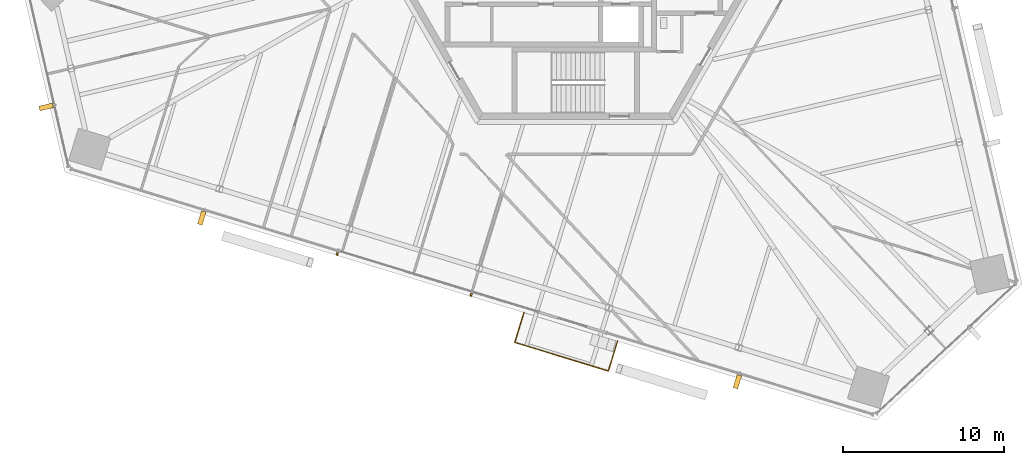
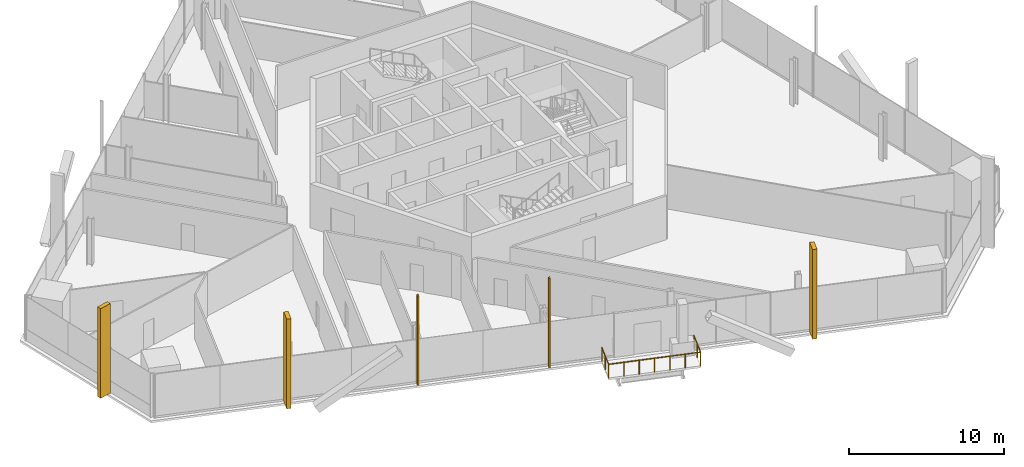
# One storey, part 17 of 23: 5 shading devices, 1 railing.
"""IFC4 building model written with IfcOpenShell, lengths in metres."""

from ifc_helpers import new_model, si_unit, direction, frame, origin, origin_2d, place, context, subcontext, project, spatial, rectangle, circle, extrude, source, transform, mapped, material, type_object, element, save


model = new_model("IFC4")

# Units and contexts
model_context = context("Model", 3, precision=1e-05, world=origin(), true_north=direction((0.0, 1.0)))
body_context = subcontext(model_context, "Body", "Model", "MODEL_VIEW")
ifc_project = project(units=[si_unit("LENGTHUNIT", "METRE"), si_unit("AREAUNIT", "SQUARE_METRE"), si_unit("VOLUMEUNIT", "CUBIC_METRE"), si_unit("PLANEANGLEUNIT", "RADIAN"), si_unit("MASSUNIT", "GRAM", prefix="KILO")], contexts=[model_context])

# Site, building, storey
site_placement = place(None, origin())
site = spatial("IfcSite", under=ifc_project, at=site_placement, CompositionType="ELEMENT")
building_placement = place(site_placement, origin())
building = spatial("IfcBuilding", under=site, at=building_placement, Name="Triune Harvest Tower", CompositionType="ELEMENT")
storey_placement = place(building_placement, frame((0.0, 0.0, 105.5)))
storey = spatial("IfcBuildingStorey", under=building, at=storey_placement, Name="L26", CompositionType="ELEMENT", Elevation=105.5)

# Railing
ifc_material_1 = material(Name="Glass", Category="glass")
railing_type = type_object("IfcRailingType", Name="GD-2 balcony guard 1100", PredefinedType="GUARDRAIL", material=ifc_material_1)
railing_placement = place(storey_placement, frame((-3.220947265625, -22.359619140625, 0.0)))
element("IfcRailing", 1, at=railing_placement, inside=storey, type_object=railing_type, Name="Balcony guard B3-F5 L26.8", PredefinedType="GUARDRAIL", context=body_context, shape_type="SweptSolid", body=[
    extrude(circle(Radius=0.02392578125, at=origin_2d()), frame((0.0, 0.0, 1.076171875), z_axis=(-0.29230847252, -0.956324085702, 0.0), x_axis=(0.956324085702, -0.29230847252, 0.0)), (0.0, 0.0, 1.0), 1.930908203125),
    extrude(circle(Radius=0.02392578125, at=origin_2d()), frame((-0.564453125, -1.8466796875, 1.076171875), z_axis=(0.956298188126, -0.292393186288, 0.0), x_axis=(0.292393186288, 0.956298188126, 0.0)), (0.0, 0.0, 1.0), 6.07275390625),
    extrude(circle(Radius=0.02392578125, at=origin_2d()), frame((5.242919921875, -3.622314453125, 1.076171875), z_axis=(0.292388744289, 0.956299546279, 0.0), x_axis=(-0.956299546279, 0.292388744289, 0.0)), (0.0, 0.0, 1.0), 1.931396484375),
    extrude(circle(Radius=0.02099609375, at=origin_2d()), origin(), (0.0, 0.0, 1.0), 1.052001953125),
    extrude(circle(Radius=0.02099609375, at=origin_2d()), frame((-0.2822265625, -0.92333984375, 0.0)), (0.0, 0.0, 1.0), 1.052001953125),
    extrude(circle(Radius=0.02099609375, at=origin_2d()), frame((-0.564453125, -1.8466796875, 0.0)), (0.0, 0.0, 1.0), 1.052001953125),
    extrude(circle(Radius=0.02099609375, at=origin_2d()), frame((0.4033203125, -2.142578125, 0.0)), (0.0, 0.0, 1.0), 1.052001953125),
    extrude(circle(Radius=0.02099609375, at=origin_2d()), frame((1.371337890625, -2.4384765625, 0.0)), (0.0, 0.0, 1.0), 1.052001953125),
    extrude(circle(Radius=0.02099609375, at=origin_2d()), frame((2.33935546875, -2.734375, 0.0)), (0.0, 0.0, 1.0), 1.052001953125),
    extrude(circle(Radius=0.02099609375, at=origin_2d()), frame((3.30712890625, -3.030517578125, 0.0)), (0.0, 0.0, 1.0), 1.052001953125),
    extrude(circle(Radius=0.02099609375, at=origin_2d()), frame((4.27490234375, -3.326416015625, 0.0)), (0.0, 0.0, 1.0), 1.052001953125),
    extrude(circle(Radius=0.02099609375, at=origin_2d()), frame((5.242919921875, -3.622314453125, 0.0)), (0.0, 0.0, 1.0), 1.052001953125),
    extrude(circle(Radius=0.02099609375, at=origin_2d()), frame((5.525390625, -2.69873046875, 0.0)), (0.0, 0.0, 1.0), 1.052001953125),
    extrude(circle(Radius=0.02099609375, at=origin_2d()), frame((5.8076171875, -1.775390625, 0.0)), (0.0, 0.0, 1.0), 1.052001953125),
])

# Shading devices
ifc_material_2 = material(Name="Aluminium bronze anodised", Category="aluminium")
shared_shape_1 = source(origin(), body_context, "Body", "SweptSolid", [
    extrude(rectangle(XDim=0.10009765625, YDim=0.199951171875, at=origin_2d()), origin(), (0.0, 0.0, 1.0), 7.0400390625),
])
for number, where, z_axis, x_axis, name in (
    (2, (-14.787109375, -18.71875, 0.0), (0.0, 0.0, 1.0), (0.956304229664, -0.292373426164, 0.0), "FN-1 fin B3-F5.5 L26"),
    (3, (-6.4853515625, -21.2568359375, 0.0), (0.0, 0.0, 1.0), (0.956304229664, -0.292373426164, 0.0), "FN-1 fin B3-F5.7 L26"),
):
    element("IfcShadingDevice", number, at=place(storey_placement, frame(where, z_axis=z_axis, x_axis=x_axis)), inside=storey, material=ifc_material_2, Name=name, ObjectType="FIN", PredefinedType="USERDEFINED", context=body_context, shape_type="MappedRepresentation", body=[
        mapped(shared_shape_1, transform((0.0, 0.0, 0.0), scale=1.0)),
    ])
shared_shape_2 = source(origin(), body_context, "Body", "SweptSolid", [
    extrude(rectangle(XDim=0.300048828125, YDim=0.85009765625, at=origin_2d()), origin(), (0.0, 0.0, 1.0), 7.0400390625),
])
for number, where, z_axis, x_axis, name in (
    (4, (-32.838134765625, -9.607666015625, 0.0), (0.0, 0.0, 1.0), (0.224946950683, -0.974371012181, 0.0), "FN-2 fin B3-F4.3 L26"),
    (5, (-23.183837890625, -16.491455078125, 0.0), (0.0, 0.0, 1.0), (0.956304229664, -0.292373426164, 0.0), "FN-2 fin B3-F5.3 L26"),
    (6, (10.016845703125, -26.64208984375, 0.0), (0.0, 0.0, 1.0), (0.956304229664, -0.292373426164, 0.0), "FN-2 fin B3-F5.11 L26"),
):
    element("IfcShadingDevice", number, at=place(storey_placement, frame(where, z_axis=z_axis, x_axis=x_axis)), inside=storey, material=ifc_material_2, Name=name, ObjectType="FIN", PredefinedType="USERDEFINED", context=body_context, shape_type="MappedRepresentation", body=[
        mapped(shared_shape_2, transform((0.0, 0.0, 0.0), scale=1.0)),
    ])

save(model, "model.ifc")
